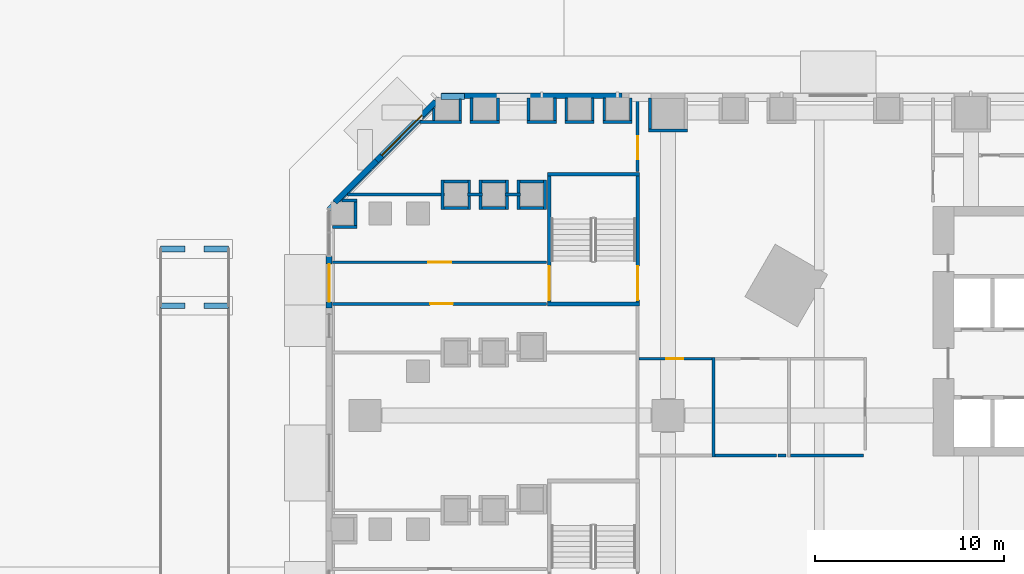
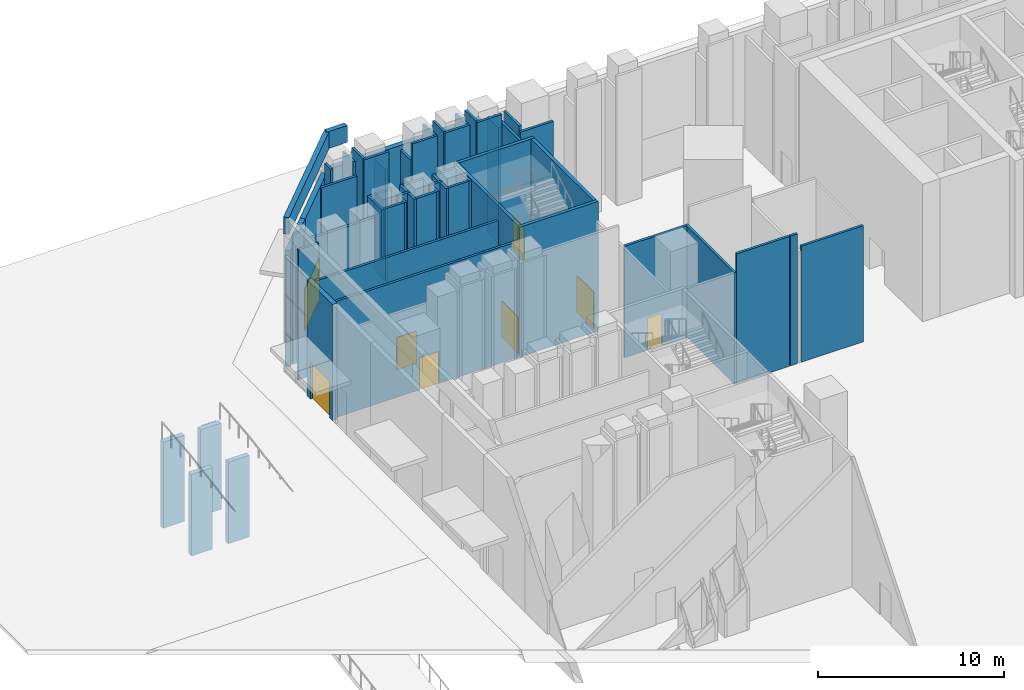
# One storey, part 24 of 51: 57 walls, 8 doors, 8 openings, 1 element without a shape of its own.
"""IFC4 building model written with IfcOpenShell, lengths in metres."""

from ifc_helpers import new_model, si_unit, direction, frame, frame_2d, origin, place, context, subcontext, project, spatial, rectangle, extrude, material, layer, layer_set, type_object, element, fill, aggregate, save


model = new_model("IFC4")

# Units and contexts
model_context = context("Model", 3, precision=1e-05, world=origin(), true_north=direction((0.0, 1.0)))
body_context = subcontext(model_context, "Body", "Model", "MODEL_VIEW")
ifc_project = project(units=[si_unit("LENGTHUNIT", "METRE"), si_unit("AREAUNIT", "SQUARE_METRE"), si_unit("VOLUMEUNIT", "CUBIC_METRE"), si_unit("PLANEANGLEUNIT", "RADIAN"), si_unit("MASSUNIT", "GRAM", prefix="KILO")], contexts=[model_context])

# Site, building, storey
site_placement = place(None, origin())
site = spatial("IfcSite", under=ifc_project, at=site_placement, CompositionType="ELEMENT")
building_placement = place(site_placement, origin())
building = spatial("IfcBuilding", under=site, at=building_placement, Name="Calabash Gate Tower", CompositionType="ELEMENT")
storey_placement = place(building_placement, origin())
storey = spatial("IfcBuildingStorey", under=building, at=storey_placement, Name="L00", CompositionType="ELEMENT", Elevation=0.0)

# Walls
ifc_material_1 = material(Name="Gypsum board on steel studs, mineral wool", Category="steel")
ifc_layer_1 = layer(ifc_material_1, 0.14990234375)
ifc_layer_set_1 = layer_set([ifc_layer_1], Name="Partition 150 gypsum board")
wall_type_1 = type_object("IfcWallType", Name="Partition 150 gypsum board", PredefinedType="PARTITIONING", material=ifc_layer_set_1)
wall_1_placement = place(storey_placement, frame((-29.60009765625, 5.824951171875, 0.0), z_axis=(0.0, 0.0, 1.0), x_axis=(0.0, 1.0, 0.0)))
element("IfcWall", 1, at=wall_1_placement, inside=storey, type_object=wall_type_1, Name="Partition", PredefinedType="PARTITIONING", context=body_context, shape_type="SweptSolid", body=[
    extrude(rectangle(XDim=5.25, YDim=0.14990234375, at=frame_2d((2.625, 0.0))), origin(), (0.0, 0.0, 1.0), 7.300048828125),
])
wall_2_placement = place(storey_placement, frame((-29.52490234375, 5.89990234375, 0.0), z_axis=(0.0, 0.0, 1.0), x_axis=(1.0, 0.0, 0.0)))
element("IfcWall", 2, at=wall_2_placement, inside=storey, type_object=wall_type_1, Name="Partition", PredefinedType="PARTITIONING", context=body_context, shape_type="SweptSolid", body=[
    extrude(rectangle(XDim=3.2548828125, YDim=0.14990234375, at=frame_2d((1.62744140625, 0.0))), origin(), (0.0, 0.0, 1.0), 8.5),
])
wall_3_placement = place(storey_placement, frame((-25.52490234375, 5.89990234375, 0.0), z_axis=(0.0, 0.0, 1.0), x_axis=(1.0, 0.0, 0.0)))
element("IfcWall", 3, at=wall_3_placement, inside=storey, type_object=wall_type_1, Name="Partition", PredefinedType="PARTITIONING", context=body_context, shape_type="SweptSolid", body=[
    extrude(rectangle(XDim=3.849853515625, YDim=0.14990234375, at=frame_2d((1.9248046875, 0.0))), origin(), (0.0, 0.0, 1.0), 7.60009765625),
])

# Wall, opening, door
wall_4_placement = place(storey_placement, frame((-33.52490234375, 11.0, 0.0), z_axis=(0.0, 0.0, 1.0), x_axis=(1.0, 0.0, 0.0)))
wall_4 = element("IfcWall", 4, at=wall_4_placement, inside=storey, type_object=wall_type_1, Name="Partition", PredefinedType="PARTITIONING", context=body_context, shape_type="SweptSolid", body=[
    extrude(rectangle(XDim=3.849853515625, YDim=0.14990234375, at=frame_2d((1.9248046875, 0.0))), origin(), (0.0, 0.0, 1.0), 7.300048828125),
])
opening_1_placement = place(wall_4_placement, frame((1.425048828125, 0.0, 0.0)))
opening_1 = element("IfcOpeningElement", 5, at=opening_1_placement, cuts=wall_4, Name="Opening L00-072", PredefinedType="OPENING", context=body_context, shape_type="SweptSolid", body=[
    extrude(rectangle(XDim=0.89990234375, YDim=2.10009765625, at=frame_2d((0.449951171875, 1.050048828125))), frame((0.0, 0.0849609375, 0.0), z_axis=(0.0, -1.0, 0.0), x_axis=(1.0, 0.0, 0.0)), (0.0, 0.0, 1.0), 0.169921875),
])
ifc_material_2 = material(Name="Steel fire door set with fire-resisting glazing", Category="steel")
door_type_1 = type_object("IfcDoorType", Name="Fire door D13 900x2100 FD30", OperationType="NOTDEFINED", PredefinedType="DOOR", material=ifc_material_2)
door_1_placement = place(opening_1_placement, origin())
door_1 = element("IfcDoor", 6, at=door_1_placement, inside=storey, type_object=door_type_1, Name="Men's WC door", OperationType="SINGLE_SWING_LEFT", OverallHeight=2.10009765625, OverallWidth=0.89990234375, PredefinedType="DOOR", context=body_context, shape_type="SweptSolid", body=[
    extrude(rectangle(XDim=0.89990234375, YDim=2.10009765625, at=frame_2d((0.449951171875, 1.050048828125))), frame((0.0, 0.02490234375, 0.0), z_axis=(0.0, -1.0, 0.0), x_axis=(1.0, 0.0, 0.0)), (0.0, 0.0, 1.0), 0.050048828125),
])
fill(opening_1, door_1)

wall_5_placement = place(storey_placement, frame((-49.719970703125, 13.8994140625, 0.0), z_axis=(0.0, 0.0, 1.0), x_axis=(1.0, 0.0, 0.0)))
wall_5 = element("IfcWall", 7, at=wall_5_placement, inside=storey, type_object=wall_type_1, Name="Partition", PredefinedType="PARTITIONING", context=body_context, shape_type="SweptSolid", body=[
    extrude(rectangle(XDim=11.31005859375, YDim=0.15087890625, at=frame_2d((5.655029296875, 0.0))), origin(), (0.0, 0.0, 1.0), 7.60009765625),
])
opening_2_placement = place(wall_5_placement, frame((5.15478515625, 0.0, 0.0)))
opening_2 = element("IfcOpeningElement", 8, at=opening_2_placement, cuts=wall_5, Name="Opening L00-094", PredefinedType="OPENING", context=body_context, shape_type="SweptSolid", body=[
    extrude(rectangle(XDim=1.199951171875, YDim=2.10009765625, at=frame_2d((0.60009765625, 1.050048828125))), frame((0.0, 0.08544921875, 0.0), z_axis=(0.0, -1.0, 0.0), x_axis=(1.0, 0.0, 0.0)), (0.0, 0.0, 1.0), 0.1708984375),
])
ifc_material_3 = material(Name="Steel fire door set with fire-resisting glazing", Category="steel")
door_type_2 = type_object("IfcDoorType", Name="Fire door D09 1200x2100 FD60", OperationType="NOTDEFINED", PredefinedType="DOOR", material=ifc_material_3)
door_2_placement = place(opening_2_placement, origin())
door_2 = element("IfcDoor", 9, at=door_2_placement, inside=storey, type_object=door_type_2, Name="Shop 09 door", OperationType="SINGLE_SWING_RIGHT", OverallHeight=2.10009765625, OverallWidth=1.199951171875, PredefinedType="DOOR", context=body_context, shape_type="SweptSolid", body=[
    extrude(rectangle(XDim=1.199951171875, YDim=2.10009765625, at=frame_2d((0.60009765625, 1.050048828125))), frame((0.0, 0.02490234375, 0.0), z_axis=(0.0, -1.0, 0.0), x_axis=(1.0, 0.0, 0.0)), (0.0, 0.0, 1.0), 0.050048828125),
])
fill(opening_2, door_2)

wall_6_placement = place(storey_placement, frame((-49.719970703125, 16.1005859375, 0.0), z_axis=(0.0, 0.0, 1.0), x_axis=(1.0, 0.0, 0.0)))
wall_6 = element("IfcWall", 10, at=wall_6_placement, inside=storey, type_object=wall_type_1, Name="Partition", PredefinedType="PARTITIONING", context=body_context, shape_type="SweptSolid", body=[
    extrude(rectangle(XDim=11.31005859375, YDim=0.15087890625, at=frame_2d((5.655029296875, 0.0))), origin(), (0.0, 0.0, 1.0), 7.60009765625),
])
opening_3_placement = place(wall_6_placement, frame((5.070068359375, 0.0, 0.0)))
opening_3 = element("IfcOpeningElement", 11, at=opening_3_placement, cuts=wall_6, Name="Opening L00-095", PredefinedType="OPENING", context=body_context, shape_type="SweptSolid", body=[
    extrude(rectangle(XDim=1.199951171875, YDim=2.10009765625, at=frame_2d((0.60009765625, 1.050048828125))), frame((0.0, 0.08544921875, 0.0), z_axis=(0.0, -1.0, 0.0), x_axis=(1.0, 0.0, 0.0)), (0.0, 0.0, 1.0), 0.1708984375),
])
ifc_material_4 = material(Name="Painted timber door", Category="wood")
door_type_3 = type_object("IfcDoorType", Name="Door D19 1200x2100", OperationType="NOTDEFINED", PredefinedType="DOOR", material=ifc_material_4)
door_3_placement = place(opening_3_placement, origin())
door_3 = element("IfcDoor", 12, at=door_3_placement, inside=storey, type_object=door_type_3, Name="Shop 09 door", OperationType="SINGLE_SWING_LEFT", OverallHeight=2.10009765625, OverallWidth=1.199951171875, PredefinedType="DOOR", context=body_context, shape_type="SweptSolid", body=[
    extrude(rectangle(XDim=1.199951171875, YDim=2.10009765625, at=frame_2d((0.60009765625, 1.050048828125))), frame((0.0, 0.02490234375, 0.0), z_axis=(0.0, -1.0, 0.0), x_axis=(1.0, 0.0, 0.0)), (0.0, 0.0, 1.0), 0.050048828125),
])
fill(opening_3, door_3)

# Walls
wall_7_placement = place(storey_placement, frame((-49.719970703125, 17.968994140625, 0.0), z_axis=(0.0, 0.0, 1.0), x_axis=(1.0, 0.0, 0.0)))
element("IfcWall", 13, at=wall_7_placement, inside=storey, type_object=wall_type_1, Name="Partition", PredefinedType="PARTITIONING", context=body_context, shape_type="SweptSolid", body=[
    extrude(rectangle(XDim=1.294921875, YDim=0.14990234375, at=frame_2d((0.6474609375, 0.0))), origin(), (0.0, 0.0, 1.0), 8.5),
])
wall_8_placement = place(storey_placement, frame((-48.5, 18.0439453125, 0.0), z_axis=(0.0, 0.0, 1.0), x_axis=(0.0, 1.0, 0.0)))
element("IfcWall", 14, at=wall_8_placement, inside=storey, type_object=wall_type_1, Name="Partition", PredefinedType="PARTITIONING", context=body_context, shape_type="SweptSolid", body=[
    extrude(rectangle(XDim=1.25, YDim=0.14990234375, at=frame_2d((0.625, 0.0))), origin(), (0.0, 0.0, 1.0), 8.5),
])
wall_9_placement = place(storey_placement, frame((-43.89990234375, 18.89404296875, 0.0), z_axis=(0.0, 0.0, 1.0), x_axis=(0.0, 1.0, 0.0)))
element("IfcWall", 15, at=wall_9_placement, inside=storey, type_object=wall_type_1, Name="Partition", PredefinedType="PARTITIONING", context=body_context, shape_type="SweptSolid", body=[
    extrude(rectangle(XDim=1.550048828125, YDim=0.14990234375, at=frame_2d((0.77490234375, 0.0))), origin(), (0.0, 0.0, 1.0), 8.5),
])
wall_10_placement = place(storey_placement, frame((-43.824951171875, 18.968994140625, 0.0), z_axis=(0.0, 0.0, 1.0), x_axis=(1.0, 0.0, 0.0)))
element("IfcWall", 16, at=wall_10_placement, inside=storey, type_object=wall_type_1, Name="Partition", PredefinedType="PARTITIONING", context=body_context, shape_type="SweptSolid", body=[
    extrude(rectangle(XDim=1.25, YDim=0.14990234375, at=frame_2d((0.625, 0.0))), origin(), (0.0, 0.0, 1.0), 8.5),
])
for number, where, z_axis, x_axis, name in (
    (17, (-42.5, 18.89404296875, 0.0), (0.0, 0.0, 1.0), (0.0, 1.0, 0.0), "Partition"),
    (18, (-41.89990234375, 18.89404296875, 0.0), (0.0, 0.0, 1.0), (0.0, 1.0, 0.0), "Partition"),
):
    element("IfcWall", number, at=place(storey_placement, frame(where, z_axis=z_axis, x_axis=x_axis)), inside=storey, type_object=wall_type_1, Name=name, PredefinedType="PARTITIONING", context=body_context, shape_type="SweptSolid", body=[
        extrude(rectangle(XDim=1.550048828125, YDim=0.14990234375, at=frame_2d((0.77490234375, 0.0))), origin(), (0.0, 0.0, 1.0), 8.5),
    ])
wall_11_placement = place(storey_placement, frame((-41.824951171875, 18.968994140625, 0.0), z_axis=(0.0, 0.0, 1.0), x_axis=(1.0, 0.0, 0.0)))
element("IfcWall", 19, at=wall_11_placement, inside=storey, type_object=wall_type_1, Name="Partition", PredefinedType="PARTITIONING", context=body_context, shape_type="SweptSolid", body=[
    extrude(rectangle(XDim=1.25, YDim=0.14990234375, at=frame_2d((0.625, 0.0))), origin(), (0.0, 0.0, 1.0), 8.5),
])
for number, where, z_axis, x_axis, name in (
    (20, (-40.5, 18.89404296875, 0.0), (0.0, 0.0, 1.0), (0.0, 1.0, 0.0), "Partition"),
    (21, (-39.89990234375, 18.89404296875, 0.0), (0.0, 0.0, 1.0), (0.0, 1.0, 0.0), "Partition"),
):
    element("IfcWall", number, at=place(storey_placement, frame(where, z_axis=z_axis, x_axis=x_axis)), inside=storey, type_object=wall_type_1, Name=name, PredefinedType="PARTITIONING", context=body_context, shape_type="SweptSolid", body=[
        extrude(rectangle(XDim=1.550048828125, YDim=0.14990234375, at=frame_2d((0.77490234375, 0.0))), origin(), (0.0, 0.0, 1.0), 8.5),
    ])
wall_12_placement = place(storey_placement, frame((-39.824951171875, 18.968994140625, 0.0), z_axis=(0.0, 0.0, 1.0), x_axis=(1.0, 0.0, 0.0)))
element("IfcWall", 22, at=wall_12_placement, inside=storey, type_object=wall_type_1, Name="Partition", PredefinedType="PARTITIONING", context=body_context, shape_type="SweptSolid", body=[
    extrude(rectangle(XDim=1.25, YDim=0.14990234375, at=frame_2d((0.625, 0.0))), origin(), (0.0, 0.0, 1.0), 8.5),
])
wall_13_placement = place(storey_placement, frame((-38.5, 18.89404296875, 0.0), z_axis=(0.0, 0.0, 1.0), x_axis=(0.0, 1.0, 0.0)))
element("IfcWall", 23, at=wall_13_placement, inside=storey, type_object=wall_type_1, Name="Partition", PredefinedType="PARTITIONING", context=body_context, shape_type="SweptSolid", body=[
    extrude(rectangle(XDim=1.550048828125, YDim=0.14990234375, at=frame_2d((0.77490234375, 0.0))), origin(), (0.0, 0.0, 1.0), 8.5),
])
wall_14_placement = place(storey_placement, frame((-49.226806640625, 19.368896484375, 0.0), z_axis=(0.0, 0.0, 1.0), x_axis=(1.0, 0.0, 0.0)))
element("IfcWall", 24, at=wall_14_placement, inside=storey, type_object=wall_type_1, Name="Partition", PredefinedType="PARTITIONING", context=body_context, shape_type="SweptSolid", body=[
    extrude(rectangle(XDim=0.8017578125, YDim=0.14990234375, at=frame_2d((0.40087890625, 0.0))), origin(), (0.0, 0.0, 1.0), 8.5),
])
wall_15_placement = place(storey_placement, frame((-48.92578125, 19.669921875, 0.0), z_axis=(0.0, 0.0, 1.0), x_axis=(1.0, 0.0, 0.0)))
element("IfcWall", 25, at=wall_15_placement, inside=storey, type_object=wall_type_1, Name="Partition", PredefinedType="PARTITIONING", context=body_context, shape_type="SweptSolid", body=[
    extrude(rectangle(XDim=5.125732421875, YDim=0.14990234375, at=frame_2d((2.56298828125, 0.0))), origin(), (0.0, 0.0, 1.0), 7.60009765625),
])
for number, where, z_axis, x_axis, name in (
    (26, (-42.60009765625, 19.669921875, 0.0), (0.0, 0.0, 1.0), (1.0, 0.0, 0.0), "Partition"),
    (27, (-40.60009765625, 19.669921875, 0.0), (0.0, 0.0, 1.0), (1.0, 0.0, 0.0), "Partition"),
):
    element("IfcWall", number, at=place(storey_placement, frame(where, z_axis=z_axis, x_axis=x_axis)), inside=storey, type_object=wall_type_1, Name=name, PredefinedType="PARTITIONING", context=body_context, shape_type="SweptSolid", body=[
        extrude(rectangle(XDim=0.800048828125, YDim=0.14990234375, at=frame_2d((0.39990234375, 0.0))), origin(), (0.0, 0.0, 1.0), 8.5),
    ])
for number, where, z_axis, x_axis, name in (
    (28, (-43.824951171875, 20.368896484375, 0.0), (0.0, 0.0, 1.0), (1.0, 0.0, 0.0), "Partition"),
    (29, (-41.824951171875, 20.368896484375, 0.0), (0.0, 0.0, 1.0), (1.0, 0.0, 0.0), "Partition"),
    (30, (-39.824951171875, 20.368896484375, 0.0), (0.0, 0.0, 1.0), (1.0, 0.0, 0.0), "Partition"),
):
    element("IfcWall", number, at=place(storey_placement, frame(where, z_axis=z_axis, x_axis=x_axis)), inside=storey, type_object=wall_type_1, Name=name, PredefinedType="PARTITIONING", context=body_context, shape_type="SweptSolid", body=[
        extrude(rectangle(XDim=1.25, YDim=0.14990234375, at=frame_2d((0.625, 0.0))), origin(), (0.0, 0.0, 1.0), 8.5),
    ])

# Wall, opening, door
wall_16_placement = place(storey_placement, frame((-33.60009765625, 20.889892578125, 0.0), z_axis=(0.0, 0.0, 1.0), x_axis=(0.0, 1.0, 0.0)))
wall_16 = element("IfcWall", 31, at=wall_16_placement, inside=storey, type_object=wall_type_1, Name="Partition", PredefinedType="PARTITIONING", context=body_context, shape_type="SweptSolid", body=[
    extrude(rectangle(XDim=3.880126953125, YDim=0.14990234375, at=frame_2d((1.93994140625, 0.0))), origin(), (0.0, 0.0, 1.0), 7.60009765625),
])
opening_4_placement = place(wall_16_placement, frame((0.660888671875, 0.0, 0.0)))
opening_4 = element("IfcOpeningElement", 32, at=opening_4_placement, cuts=wall_16, Name="Opening L00-096", PredefinedType="OPENING", context=body_context, shape_type="SweptSolid", body=[
    extrude(rectangle(XDim=1.199951171875, YDim=2.10009765625, at=frame_2d((0.60009765625, 1.050048828125))), frame((0.0, 0.0849609375, 0.0), z_axis=(0.0, -1.0, 0.0), x_axis=(1.0, 0.0, 0.0)), (0.0, 0.0, 1.0), 0.169921875),
])
door_4_placement = place(opening_4_placement, origin())
door_4 = element("IfcDoor", 33, at=door_4_placement, inside=storey, type_object=door_type_2, Name="Shop 01 door", OperationType="SINGLE_SWING_RIGHT", OverallHeight=2.10009765625, OverallWidth=1.199951171875, PredefinedType="DOOR", context=body_context, shape_type="SweptSolid", body=[
    extrude(rectangle(XDim=1.199951171875, YDim=2.10009765625, at=frame_2d((0.60009765625, 1.050048828125))), frame((0.0, 0.02490234375, 0.0), z_axis=(0.0, -1.0, 0.0), x_axis=(1.0, 0.0, 0.0)), (0.0, 0.0, 1.0), 0.050048828125),
])
fill(opening_4, door_4)

# Walls
wall_17_placement = place(storey_placement, frame((-33.02490234375, 23.050048828125, 0.0), z_axis=(0.0, 0.0, 1.0), x_axis=(1.0, 0.0, 0.0)))
element("IfcWall", 34, at=wall_17_placement, inside=storey, type_object=wall_type_1, Name="Partition", PredefinedType="PARTITIONING", context=body_context, shape_type="SweptSolid", body=[
    extrude(rectangle(XDim=2.0498046875, YDim=0.14990234375, at=frame_2d((1.02490234375, 0.0))), origin(), (0.0, 0.0, 1.0), 7.300048828125),
])
wall_18_placement = place(storey_placement, frame((-32.949951171875, 23.125, 0.0), z_axis=(0.0, 0.0, 1.0), x_axis=(0.0, 1.0, 0.0)))
element("IfcWall", 35, at=wall_18_placement, inside=storey, type_object=wall_type_1, Name="Partition", PredefinedType="PARTITIONING", context=body_context, shape_type="SweptSolid", body=[
    extrude(rectangle(XDim=1.64501953125, YDim=0.14990234375, at=frame_2d((0.822509765625, 0.0))), origin(), (0.0, 0.0, 1.0), 7.60009765625),
])
wall_19_placement = place(storey_placement, frame((-45.095703125, 23.5, 0.0), z_axis=(0.0, 0.0, 1.0), x_axis=(1.0, 0.0, 0.0)))
element("IfcWall", 36, at=wall_19_placement, inside=storey, type_object=wall_type_1, Name="Partition", PredefinedType="PARTITIONING", context=body_context, shape_type="SweptSolid", body=[
    extrude(rectangle(XDim=2.20166015625, YDim=0.14990234375, at=frame_2d((1.100830078125, 0.0))), origin(), (0.0, 0.0, 1.0), 7.60009765625),
])
for number, where, z_axis, x_axis, name in (
    (37, (-42.444091796875, 23.5, 0.0), (0.0, 0.0, 1.0), (1.0, 0.0, 0.0), "Partition"),
    (38, (-39.444091796875, 23.5, 0.0), (0.0, 0.0, 1.0), (1.0, 0.0, 0.0), "Partition"),
    (39, (-37.444091796875, 23.5, 0.0), (0.0, 0.0, 1.0), (1.0, 0.0, 0.0), "Partition"),
    (40, (-35.444091796875, 23.5, 0.0), (0.0, 0.0, 1.0), (1.0, 0.0, 0.0), "Partition"),
):
    element("IfcWall", number, at=place(storey_placement, frame(where, z_axis=z_axis, x_axis=x_axis)), inside=storey, type_object=wall_type_1, Name=name, PredefinedType="PARTITIONING", context=body_context, shape_type="SweptSolid", body=[
        extrude(rectangle(XDim=1.550048828125, YDim=0.14990234375, at=frame_2d((0.77490234375, 0.0))), origin(), (0.0, 0.0, 1.0), 8.5),
    ])
wall_20_placement = place(storey_placement, frame((-44.368896484375, 23.574951171875, 0.0), z_axis=(0.0, 0.0, 1.0), x_axis=(0.0, 1.0, 0.0)))
element("IfcWall", 41, at=wall_20_placement, inside=storey, type_object=wall_type_1, Name="Partition", PredefinedType="PARTITIONING", context=body_context, shape_type="SweptSolid", body=[
    extrude(rectangle(XDim=0.65185546875, YDim=0.14990234375, at=frame_2d((0.325927734375, 0.0))), origin(), (0.0, 0.0, 1.0), 8.5),
])
wall_21_placement = place(storey_placement, frame((-42.968994140625, 23.574951171875, 0.0), z_axis=(0.0, 0.0, 1.0), x_axis=(0.0, 1.0, 0.0)))
element("IfcWall", 42, at=wall_21_placement, inside=storey, type_object=wall_type_1, Name="Partition", PredefinedType="PARTITIONING", context=body_context, shape_type="SweptSolid", body=[
    extrude(rectangle(XDim=1.14501953125, YDim=0.14990234375, at=frame_2d((0.572509765625, 0.0))), origin(), (0.0, 0.0, 1.0), 8.5),
])
wall_22_placement = place(storey_placement, frame((-42.368896484375, 23.574951171875, 0.0), z_axis=(0.0, 0.0, 1.0), x_axis=(0.0, 1.0, 0.0)))
element("IfcWall", 43, at=wall_22_placement, inside=storey, type_object=wall_type_1, Name="Partition", PredefinedType="PARTITIONING", context=body_context, shape_type="SweptSolid", body=[
    extrude(rectangle(XDim=1.195068359375, YDim=0.14990234375, at=frame_2d((0.59765625, 0.0))), origin(), (0.0, 0.0, 1.0), 8.5),
])
for number, where, z_axis, x_axis, name in (
    (44, (-40.968994140625, 23.574951171875, 0.0), (0.0, 0.0, 1.0), (0.0, 1.0, 0.0), "Partition"),
    (45, (-39.368896484375, 23.574951171875, 0.0), (0.0, 0.0, 1.0), (0.0, 1.0, 0.0), "Partition"),
):
    element("IfcWall", number, at=place(storey_placement, frame(where, z_axis=z_axis, x_axis=x_axis)), inside=storey, type_object=wall_type_1, Name=name, PredefinedType="PARTITIONING", context=body_context, shape_type="SweptSolid", body=[
        extrude(rectangle(XDim=1.195068359375, YDim=0.14990234375, at=frame_2d((0.59765625, 0.0))), origin(), (0.0, 0.0, 1.0), 7.300048828125),
    ])
for number, where, z_axis, x_axis, name in (
    (46, (-37.968994140625, 23.574951171875, 0.0), (0.0, 0.0, 1.0), (0.0, 1.0, 0.0), "Partition"),
    (47, (-37.368896484375, 23.574951171875, 0.0), (0.0, 0.0, 1.0), (0.0, 1.0, 0.0), "Partition"),
    (48, (-35.968994140625, 23.574951171875, 0.0), (0.0, 0.0, 1.0), (0.0, 1.0, 0.0), "Partition"),
    (49, (-35.368896484375, 23.574951171875, 0.0), (0.0, 0.0, 1.0), (0.0, 1.0, 0.0), "Partition"),
):
    element("IfcWall", number, at=place(storey_placement, frame(where, z_axis=z_axis, x_axis=x_axis)), inside=storey, type_object=wall_type_1, Name=name, PredefinedType="PARTITIONING", context=body_context, shape_type="SweptSolid", body=[
        extrude(rectangle(XDim=1.195068359375, YDim=0.14990234375, at=frame_2d((0.59765625, 0.0))), origin(), (0.0, 0.0, 1.0), 8.5),
    ])
wall_23_placement = place(storey_placement, frame((-33.968994140625, 23.574951171875, 0.0), z_axis=(0.0, 0.0, 1.0), x_axis=(0.0, 1.0, 0.0)))
element("IfcWall", 50, at=wall_23_placement, inside=storey, type_object=wall_type_1, Name="Partition", PredefinedType="PARTITIONING", context=body_context, shape_type="SweptSolid", body=[
    extrude(rectangle(XDim=1.195068359375, YDim=0.14990234375, at=frame_2d((0.59765625, 0.0))), origin(), (0.0, 0.0, 1.0), 7.60009765625),
])
wall_24_placement = place(storey_placement, frame((-26.18994140625, 5.89990234375, 0.0), z_axis=(0.0, 0.0, 1.0), x_axis=(1.0, 0.0, 0.0)))
element("IfcWall", 51, at=wall_24_placement, inside=storey, type_object=wall_type_1, Name="Partition", PredefinedType="PARTITIONING", context=body_context, shape_type="SweptSolid", body=[
    extrude(rectangle(XDim=0.43505859375, YDim=0.14990234375, at=frame_2d((0.217529296875, 0.0))), origin(), (0.0, 0.0, 1.0), 8.5),
])
ifc_material_5 = material(Name="Terracotta brick masonry, exposed face", Category="masonry")
ifc_layer_2 = layer(ifc_material_5, 0.300048828125)
ifc_layer_set_2 = layer_set([ifc_layer_2], Name="Podium brick wall 300")
wall_type_2 = type_object("IfcWallType", Name="Podium brick wall 300", PredefinedType="SOLIDWALL", material=ifc_layer_set_2)
wall_25_placement = place(storey_placement, frame((-34.427001953125, 24.89990234375, 0.0), z_axis=(0.0, 0.0, 1.0), x_axis=(-1.0, 0.0, 0.0)))
element("IfcWall", 52, at=wall_25_placement, inside=storey, type_object=wall_type_2, Name="Podium brick wall L00 4.1.1", PredefinedType="SOLIDWALL", context=body_context, shape_type="SweptSolid", body=[
    extrude(rectangle(XDim=9.52294921875, YDim=0.300048828125, at=frame_2d((4.761474609375, 0.0))), origin(), (0.0, 0.0, 1.0), 7.60009765625),
])
wall_26_placement = place(storey_placement, frame((-47.396728515625, 21.461669921875, 0.0), z_axis=(0.0, 0.0, 1.0), x_axis=(-0.707146179809, -0.707067380369, 0.0)))
element("IfcWall", 53, at=wall_26_placement, inside=storey, type_object=wall_type_2, Name="Podium brick wall L00 5.0.0", PredefinedType="SOLIDWALL", context=body_context, shape_type="SweptSolid", body=[
    extrude(rectangle(XDim=3.09814453125, YDim=0.300048828125, at=frame_2d((1.549072265625, 0.0))), origin(), (0.0, 0.0, 1.0), 7.60009765625),
])

# Wall, opening, door
ifc_material_6 = material(Name="Aluminium framed entrance wall with insulated spandrel", Category="aluminium")
ifc_layer_3 = layer(ifc_material_6, 0.300048828125)
ifc_layer_set_3 = layer_set([ifc_layer_3], Name="Podium entrance wall 300")
wall_type_3 = type_object("IfcWallType", Name="Podium entrance wall 300", PredefinedType="ELEMENTEDWALL", material=ifc_layer_set_3)
wall_27_placement = place(storey_placement, frame((-44.27099609375, 24.587646484375, 0.0), z_axis=(0.0, 0.0, 1.0), x_axis=(-0.707079166839, -0.707134394455, 0.0)))
wall_27 = element("IfcWall", 54, at=wall_27_placement, inside=storey, type_object=wall_type_3, Name="Entrance door wall L00", PredefinedType="ELEMENTEDWALL", context=body_context, shape_type="SweptSolid", body=[
    extrude(rectangle(XDim=4.420654296875, YDim=0.300048828125, at=frame_2d((2.21044921875, 0.0))), origin(), (0.0, 0.0, 1.0), 7.60009765625),
])
opening_5_placement = place(wall_27_placement, frame((1.0205078125, 0.0, 0.0)))
opening_5 = element("IfcOpeningElement", 55, at=opening_5_placement, cuts=wall_27, Name="Opening L00-019", PredefinedType="OPENING", context=body_context, shape_type="SweptSolid", body=[
    extrude(rectangle(XDim=3.0, YDim=2.699951171875, at=frame_2d((1.5, 1.35009765625))), frame((0.0, 0.159912109375, 0.0), z_axis=(0.0, -1.0, 0.0), x_axis=(1.0, 0.0, 0.0)), (0.0, 0.0, 1.0), 0.320068359375),
])
ifc_material_7 = material(Name="Anodised aluminium frame, bronze finish, impact-rated laminated clear glazing", Category="aluminium")
door_type_4 = type_object("IfcDoorType", Name="Podium door DE300 3000x2700", OperationType="DOUBLE_DOOR_SINGLE_SWING", PredefinedType="DOOR", material=ifc_material_7)
door_5_placement = place(opening_5_placement, origin())
door_5 = element("IfcDoor", 56, at=door_5_placement, inside=storey, type_object=door_type_4, Name="Entrance door L00", OperationType="DOUBLE_DOOR_SINGLE_SWING", OverallHeight=2.699951171875, OverallWidth=3.0, PredefinedType="DOOR", context=body_context, shape_type="SweptSolid", body=[
    extrude(rectangle(XDim=3.0, YDim=2.699951171875, at=frame_2d((1.5, 1.35009765625))), frame((0.0, 0.02490234375, 0.0), z_axis=(0.0, -1.0, 0.0), x_axis=(1.0, 0.0, 0.0)), (0.0, 0.0, 1.0), 0.050048828125),
])
fill(opening_5, door_5)

wall_28_placement = place(storey_placement, frame((-49.89990234375, 16.39990234375, 0.0), z_axis=(0.0, 0.0, 1.0), x_axis=(0.0, -1.0, 0.0)))
wall_28 = element("IfcWall", 57, at=wall_28_placement, inside=storey, type_object=wall_type_3, Name="Exit door wall L00", PredefinedType="ELEMENTEDWALL", context=body_context, shape_type="SweptSolid", body=[
    extrude(rectangle(XDim=2.726806640625, YDim=0.300048828125, at=frame_2d((1.36328125, 0.0))), origin(), (0.0, 0.0, 1.0), 7.60009765625),
])
opening_6_placement = place(wall_28_placement, frame((0.39990234375, 0.0, 0.0)))
opening_6 = element("IfcOpeningElement", 58, at=opening_6_placement, cuts=wall_28, Name="Opening L00-020", PredefinedType="OPENING", context=body_context, shape_type="SweptSolid", body=[
    extrude(rectangle(XDim=2.0, YDim=2.39990234375, at=frame_2d((1.0, 1.199951171875))), frame((0.0, 0.159912109375, 0.0), z_axis=(0.0, -1.0, 0.0), x_axis=(1.0, 0.0, 0.0)), (0.0, 0.0, 1.0), 0.320068359375),
])
ifc_material_8 = material(Name="Steel, powder coated, glazed vision panel", Category="steel")
door_type_5 = type_object("IfcDoorType", Name="Podium door DX200 2000x2400", OperationType="DOUBLE_DOOR_SINGLE_SWING", PredefinedType="DOOR", material=ifc_material_8)
door_6_placement = place(opening_6_placement, origin())
door_6 = element("IfcDoor", 59, at=door_6_placement, inside=storey, type_object=door_type_5, Name="Exit door L00", OperationType="DOUBLE_DOOR_SINGLE_SWING", OverallHeight=2.39990234375, OverallWidth=2.0, PredefinedType="DOOR", context=body_context, shape_type="SweptSolid", body=[
    extrude(rectangle(XDim=2.0, YDim=2.39990234375, at=frame_2d((1.0, 1.199951171875))), frame((0.0, 0.02490234375, 0.0), z_axis=(0.0, -1.0, 0.0), x_axis=(1.0, 0.0, 0.0)), (0.0, 0.0, 1.0), 0.050048828125),
])
fill(opening_6, door_6)

# Walls
ifc_material_9 = material(Name="Terracotta brick masonry, exposed face", Category="masonry")
ifc_layer_4 = layer(ifc_material_9, 0.300048828125)
ifc_layer_set_4 = layer_set([ifc_layer_4], Name="Podium parapet wall 300")
wall_type_4 = type_object("IfcWallType", Name="Podium parapet wall 300", PredefinedType="PARAPET", material=ifc_layer_set_4)
wall_29_placement = place(storey_placement, frame((-42.75, 24.85009765625, 9.0), z_axis=(0.0, 0.0, 1.0), x_axis=(-1.0, 0.0, 0.0)))
element("IfcWall", 60, at=wall_29_placement, inside=storey, type_object=wall_type_4, Name="Podium parapet L00 4.1.0", PredefinedType="PARAPET", context=body_context, shape_type="SweptSolid", body=[
    extrude(rectangle(XDim=1.25, YDim=0.300048828125, at=frame_2d((0.625, 0.0))), origin(), (0.0, 0.0, 1.0), 1.10009765625),
])
wall_30_placement = place(storey_placement, frame((-44.04248046875, 24.745361328125, 9.0), z_axis=(0.0, 0.0, 1.0), x_axis=(-0.7071215324, -0.707092029666, 0.0)))
element("IfcWall", 61, at=wall_30_placement, inside=storey, type_object=wall_type_4, Name="Podium parapet L00 5.0.0", PredefinedType="PARAPET", context=body_context, shape_type="SweptSolid", body=[
    extrude(rectangle(XDim=8.275146484375, YDim=0.300048828125, at=frame_2d((4.1376953125, 0.0))), origin(), (0.0, 0.0, 1.0), 1.10009765625),
])

# Assembly, walls
assembly_placement = place(storey_placement, origin())
assembly = element("IfcElementAssembly", 62, at=assembly_placement, inside=storey, Name="Exit Ramp", ObjectType="Vehicle ramp", PredefinedType="USERDEFINED")
ifc_material_10 = material(Name="Concrete C40/50", Category="concrete")
ifc_layer_5 = layer(ifc_material_10, 0.300048828125)
ifc_layer_set_5 = layer_set([ifc_layer_5], Name="Ramp support wall 300")
wall_type_5 = type_object("IfcWallType", Name="Ramp support wall 300", PredefinedType="SOLIDWALL", material=ifc_layer_set_5)
wall_31_placement = place(storey_placement, frame((-58.800048828125, 13.800048828125, -5.800048828125), z_axis=(0.0, 0.0, 1.0), x_axis=(1.0, 0.0, 0.0)))
wall_31 = element("IfcWall", 63, at=wall_31_placement, type_object=wall_type_5, Name="Exit Ramp support wall", PredefinedType="SOLIDWALL", context=body_context, shape_type="SweptSolid", body=[
    extrude(rectangle(XDim=1.300048828125, YDim=0.300048828125, at=frame_2d((0.64990234375, 0.0))), origin(), (0.0, 0.0, 1.0), 5.35009765625),
])
wall_32_placement = place(storey_placement, frame((-56.5, 13.800048828125, -5.800048828125), z_axis=(0.0, 0.0, 1.0), x_axis=(1.0, 0.0, 0.0)))
wall_32 = element("IfcWall", 64, at=wall_32_placement, type_object=wall_type_5, Name="Exit Ramp support wall", PredefinedType="SOLIDWALL", context=body_context, shape_type="SweptSolid", body=[
    extrude(rectangle(XDim=1.300048828125, YDim=0.300048828125, at=frame_2d((0.64990234375, 0.0))), origin(), (0.0, 0.0, 1.0), 5.35009765625),
])
wall_33_placement = place(storey_placement, frame((-58.800048828125, 16.800048828125, -5.800048828125), z_axis=(0.0, 0.0, 1.0), x_axis=(1.0, 0.0, 0.0)))
wall_33 = element("IfcWall", 65, at=wall_33_placement, type_object=wall_type_5, Name="Exit Ramp support wall", PredefinedType="SOLIDWALL", context=body_context, shape_type="SweptSolid", body=[
    extrude(rectangle(XDim=1.300048828125, YDim=0.300048828125, at=frame_2d((0.64990234375, 0.0))), origin(), (0.0, 0.0, 1.0), 5.650146484375),
])
wall_34_placement = place(storey_placement, frame((-56.5, 16.800048828125, -5.800048828125), z_axis=(0.0, 0.0, 1.0), x_axis=(1.0, 0.0, 0.0)))
wall_34 = element("IfcWall", 66, at=wall_34_placement, type_object=wall_type_5, Name="Exit Ramp support wall", PredefinedType="SOLIDWALL", context=body_context, shape_type="SweptSolid", body=[
    extrude(rectangle(XDim=1.300048828125, YDim=0.300048828125, at=frame_2d((0.64990234375, 0.0))), origin(), (0.0, 0.0, 1.0), 5.650146484375),
])
aggregate(assembly, [wall_31, wall_32, wall_33, wall_34])

# Walls
ifc_material_11 = material(Name="Concrete C40/50", Category="concrete")
ifc_layer_6 = layer(ifc_material_11, 0.199951171875)
ifc_layer_set_6 = layer_set([ifc_layer_6], Name="Stair wall 200 Concrete C40/50")
wall_type_6 = type_object("IfcWallType", Name="Stair wall 200 Concrete C40/50", PredefinedType="SOLIDWALL", material=ifc_layer_set_6)
for number, where, z_axis, x_axis, name in (
    (67, (-38.3701171875, 13.89990234375, 0.0), (0.0, 0.0, 1.0), (1.0, 0.0, 0.0), "Stair wall"),
    (68, (-38.3701171875, 20.75, 0.0), (0.0, 0.0, 1.0), (1.0, 0.0, 0.0), "Stair wall"),
):
    element("IfcWall", number, at=place(storey_placement, frame(where, z_axis=z_axis, x_axis=x_axis)), inside=storey, type_object=wall_type_6, Name=name, PredefinedType="SOLIDWALL", context=body_context, shape_type="SweptSolid", body=[
        extrude(rectangle(XDim=4.8701171875, YDim=0.199951171875, at=frame_2d((2.43505859375, 0.0))), origin(), (0.0, 0.0, 1.0), 8.5),
    ])

# Wall, opening, door
wall_35_placement = place(storey_placement, frame((-38.27001953125, 14.0, 0.0), z_axis=(0.0, 0.0, 1.0), x_axis=(0.0, 1.0, 0.0)))
wall_35 = element("IfcWall", 69, at=wall_35_placement, inside=storey, type_object=wall_type_6, Name="Stair wall", PredefinedType="SOLIDWALL", context=body_context, shape_type="SweptSolid", body=[
    extrude(rectangle(XDim=6.64990234375, YDim=0.199951171875, at=frame_2d((3.324951171875, 0.0))), origin(), (0.0, 0.0, 1.0), 8.5),
])
opening_7_placement = place(wall_35_placement, frame((0.10009765625, 0.0, 0.0)))
opening_7 = element("IfcOpeningElement", 70, at=opening_7_placement, cuts=wall_35, Name="Opening L00-059", PredefinedType="OPENING", context=body_context, shape_type="SweptSolid", body=[
    extrude(rectangle(XDim=1.800048828125, YDim=2.39990234375, at=frame_2d((0.89990234375, 1.199951171875))), frame((0.0, 0.10986328125, 0.0), z_axis=(0.0, -1.0, 0.0), x_axis=(1.0, 0.0, 0.0)), (0.0, 0.0, 1.0), 0.219970703125),
])
ifc_material_12 = material(Name="Steel fire door set with fire-resisting glazing", Category="steel")
door_type_6 = type_object("IfcDoorType", Name="Double fire door D16 1800x2400 FD90", OperationType="DOUBLE_DOOR_SINGLE_SWING", PredefinedType="DOOR", material=ifc_material_12)
door_7_placement = place(opening_7_placement, origin())
door_7 = element("IfcDoor", 71, at=door_7_placement, inside=storey, type_object=door_type_6, Name="Exit stair door PS5", OperationType="DOUBLE_DOOR_SINGLE_SWING", OverallHeight=2.39990234375, OverallWidth=1.800048828125, PredefinedType="DOOR", context=body_context, shape_type="SweptSolid", body=[
    extrude(rectangle(XDim=1.800048828125, YDim=2.39990234375, at=frame_2d((0.89990234375, 1.199951171875))), frame((0.0, 0.02490234375, 0.0), z_axis=(0.0, -1.0, 0.0), x_axis=(1.0, 0.0, 0.0)), (0.0, 0.0, 1.0), 0.050048828125),
])
fill(opening_7, door_7)

wall_36_placement = place(storey_placement, frame((-33.60009765625, 14.0, 0.0), z_axis=(0.0, 0.0, 1.0), x_axis=(0.0, 1.0, 0.0)))
wall_36 = element("IfcWall", 72, at=wall_36_placement, inside=storey, type_object=wall_type_6, Name="Stair wall", PredefinedType="SOLIDWALL", context=body_context, shape_type="SweptSolid", body=[
    extrude(rectangle(XDim=6.64990234375, YDim=0.199951171875, at=frame_2d((3.324951171875, 0.0))), origin(), (0.0, 0.0, 1.0), 8.5),
])
opening_8_placement = place(wall_36_placement, frame((0.10009765625, 0.0, 0.0)))
opening_8 = element("IfcOpeningElement", 73, at=opening_8_placement, cuts=wall_36, Name="Opening L00-058", PredefinedType="OPENING", context=body_context, shape_type="SweptSolid", body=[
    extrude(rectangle(XDim=1.800048828125, YDim=2.39990234375, at=frame_2d((0.89990234375, 1.199951171875))), frame((0.0, 0.10986328125, 0.0), z_axis=(0.0, -1.0, 0.0), x_axis=(1.0, 0.0, 0.0)), (0.0, 0.0, 1.0), 0.219970703125),
])
door_8_placement = place(opening_8_placement, origin())
door_8 = element("IfcDoor", 74, at=door_8_placement, inside=storey, type_object=door_type_6, Name="Exit stair door PS5", OperationType="DOUBLE_DOOR_SINGLE_SWING", OverallHeight=2.39990234375, OverallWidth=1.800048828125, PredefinedType="DOOR", context=body_context, shape_type="SweptSolid", body=[
    extrude(rectangle(XDim=1.800048828125, YDim=2.39990234375, at=frame_2d((0.89990234375, 1.199951171875))), frame((0.0, 0.02490234375, 0.0), z_axis=(0.0, -1.0, 0.0), x_axis=(1.0, 0.0, 0.0)), (0.0, 0.0, 1.0), 0.050048828125),
])
fill(opening_8, door_8)

save(model, "model.ifc")
